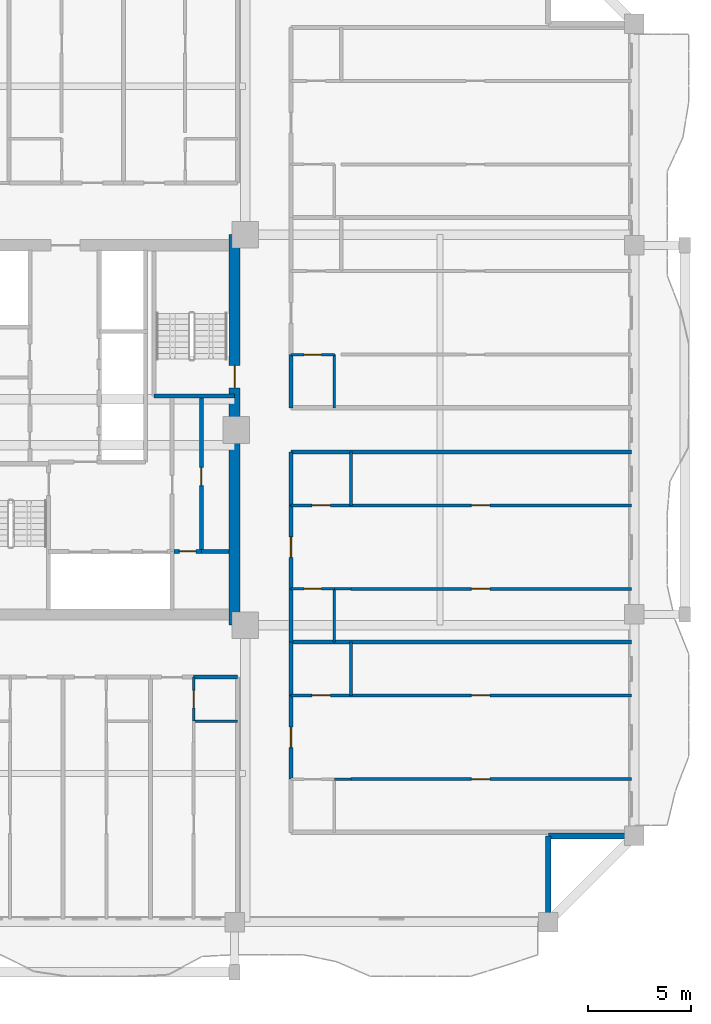
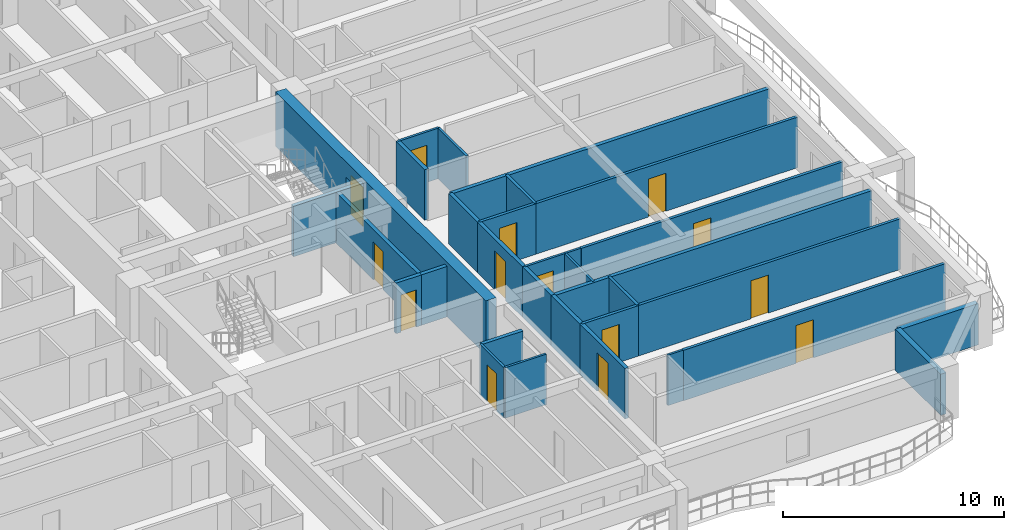
# One storey, part 5 of 13: 32 walls, 14 doors, 14 openings.
"""IFC4 building model written with IfcOpenShell, lengths in metres."""

import ifcopenshell
import ifcopenshell.guid

model = None  # the IFC model being written
_history = None  # IfcOwnerHistory: only IFC2X3 demands one
_inside = {}  # id of a spatial element -> (the spatial element, [elements in it])
_under = {}  # id of a project, library or spatial element -> (it, [spatial elements below it])
_declared = {}  # id of a project -> (the project, [libraries it declares])
_typed = {}  # id of a type object -> (the type object, [elements of that type])
_made_of = {}  # id of a material, layer set ... -> (it, [elements and type objects made of it])


def new_model(schema):
    """Start an empty IFC model of exactly this schema.

    Asked for "IFC4X3", IfcOpenShell would pick the latest addendum, in which some entities
    have other attributes; the version numbers below select the first issue.
    IFC2X3 requires an IfcOwnerHistory on every rooted entity: one is made here for all.
    """
    global model, _history
    if schema == "IFC4X3":
        model = ifcopenshell.file(schema_version=(4, 3, 0, 0))
    else:
        model = ifcopenshell.file(schema=schema)
    _inside.clear()
    _under.clear()
    _declared.clear()
    _typed.clear()
    _made_of.clear()
    _history = None
    if model.schema == "IFC2X3":
        org = make("IfcOrganization", Name="unknown")
        user = make(
            "IfcPersonAndOrganization",
            ThePerson=make("IfcPerson", FamilyName="unknown"),
            TheOrganization=org,
        )
        app = make(
            "IfcApplication",
            ApplicationDeveloper=org,
            Version="unknown",
            ApplicationFullName="unknown",
            ApplicationIdentifier="unknown",
        )
        _history = make(
            "IfcOwnerHistory",
            OwningUser=user,
            OwningApplication=app,
            ChangeAction="ADDED",
            CreationDate=0,
        )
    return model


def make(cls, **values):
    """One entity of the class cls with the attributes given. An attribute that is None is left unset."""
    return model.create_entity(
        cls, **{name: value for name, value in values.items() if value is not None}
    )


def rooted(cls, **values):
    """An entity with a GlobalId (a new one), such as an element, a storey or a relation."""
    return make(cls, GlobalId=ifcopenshell.guid.new(), OwnerHistory=_history, **values)


def si_unit(unit_type, name, prefix=None):
    """IfcSIUnit, for example si_unit("LENGTHUNIT", "METRE", prefix="MILLI")."""
    return make("IfcSIUnit", UnitType=unit_type, Prefix=prefix, Name=name)


def assignment(units):
    """IfcUnitAssignment: the units of a project."""
    return None if units is None else make("IfcUnitAssignment", Units=units)


def point(xyz):
    """IfcCartesianPoint."""
    return None if xyz is None else make("IfcCartesianPoint", Coordinates=xyz)


def direction(xyz):
    """IfcDirection."""
    return None if xyz is None else make("IfcDirection", DirectionRatios=xyz)


def frame(location, z_axis=None, x_axis=None):
    """IfcAxis2Placement3D, a coordinate frame: its origin and axes. An axis left out is left unset."""
    return make(
        "IfcAxis2Placement3D",
        Location=point(location),
        Axis=direction(z_axis),
        RefDirection=direction(x_axis),
    )


def frame_2d(location, x_axis=None):
    """IfcAxis2Placement2D, a coordinate frame in the plane: its origin and x axis."""
    return make(
        "IfcAxis2Placement2D", Location=point(location), RefDirection=direction(x_axis)
    )


def origin():
    """The frame at (0, 0, 0) with its axes left unset."""
    return frame((0.0, 0.0, 0.0))


def place(relative_to, where):
    """IfcLocalPlacement: puts the frame where relative to a parent placement (None: the world)."""
    return make(
        "IfcLocalPlacement", PlacementRelTo=relative_to, RelativePlacement=where
    )


def context(
    kind, dimensions, precision=None, world=None, true_north=None, identifier=None
):
    """IfcGeometricRepresentationContext, for example the 3D "Model" context."""
    return make(
        "IfcGeometricRepresentationContext",
        ContextIdentifier=identifier,
        ContextType=kind,
        CoordinateSpaceDimension=dimensions,
        Precision=precision,
        WorldCoordinateSystem=world,
        TrueNorth=true_north,
    )


def subcontext(parent, identifier, kind, view, scale=None):
    """IfcGeometricRepresentationSubContext, for example "Body" below "Model"."""
    return make(
        "IfcGeometricRepresentationSubContext",
        ContextIdentifier=identifier,
        ContextType=kind,
        ParentContext=parent,
        TargetScale=scale,
        TargetView=view,
    )


def project(units=None, contexts=None):
    """IfcProject with its units and contexts."""
    return rooted(
        "IfcProject",
        Name="project",
        RepresentationContexts=contexts,
        UnitsInContext=assignment(units),
    )


def spatial(cls, under=None, at=None, **own):
    """A site, building, storey or space (cls), placed at a placement, below another one or the project."""
    s = rooted(cls, ObjectPlacement=at, **own)
    if under is not None:
        _under.setdefault(under.id(), (under, []))[1].append(s)
    return s


def profile(cls, at=None, kind="AREA", **sizes):
    """A parametric profile (cls). Its sizes go by their IFC names, for example OverallWidth=200.0."""
    return make(cls, ProfileType=kind, Position=at, **sizes)


def rectangle(**sizes):
    """IfcRectangleProfileDef."""
    return profile("IfcRectangleProfileDef", **sizes)


def extrude(swept, where, along, depth):
    """IfcExtrudedAreaSolid: the profile swept, set in the frame where, extruded along a direction by depth."""
    return make(
        "IfcExtrudedAreaSolid",
        SweptArea=swept,
        Position=where,
        ExtrudedDirection=direction(along),
        Depth=depth,
    )


def shape(context_of_items, identifier, shape_type, items):
    """IfcShapeRepresentation: the items that make up one representation, for example the "Body"."""
    return make(
        "IfcShapeRepresentation",
        ContextOfItems=context_of_items,
        RepresentationIdentifier=identifier,
        RepresentationType=shape_type,
        Items=items,
    )


def source(mapping_origin, context_of_items, identifier, shape_type, items):
    """IfcRepresentationMap: a shape defined once, which mapped items show again and again."""
    return make(
        "IfcRepresentationMap",
        MappingOrigin=mapping_origin,
        MappedRepresentation=shape(context_of_items, identifier, shape_type, items),
    )


def transform(
    local_origin,
    x_axis=None,
    y_axis=None,
    z_axis=None,
    scale=None,
    scale2=None,
    scale3=None,
    uniform=True,
):
    """IfcCartesianTransformationOperator3D, or its non-uniform kind. x_axis, y_axis, z_axis: its Axis1, 2, 3."""
    if uniform:
        return make(
            "IfcCartesianTransformationOperator3D",
            Axis1=direction(x_axis),
            Axis2=direction(y_axis),
            LocalOrigin=point(local_origin),
            Scale=scale,
            Axis3=direction(z_axis),
        )
    return make(
        "IfcCartesianTransformationOperator3DnonUniform",
        Axis1=direction(x_axis),
        Axis2=direction(y_axis),
        LocalOrigin=point(local_origin),
        Scale=scale,
        Axis3=direction(z_axis),
        Scale2=scale2,
        Scale3=scale3,
    )


def mapped(mapping_source, mapping_target):
    """IfcMappedItem: shows the shape of a source again, moved by a transform."""
    return make(
        "IfcMappedItem", MappingSource=mapping_source, MappingTarget=mapping_target
    )


def material(Name=None, Category=None):
    """IfcMaterial."""
    return make("IfcMaterial", Name=Name, Category=Category)


def layer(
    of_material, thickness, ventilated=None, Name=None, Category=None, Priority=None
):
    """IfcMaterialLayer: one layer of a wall or slab, of a material (None: an air gap)."""
    return make(
        "IfcMaterialLayer",
        Material=of_material,
        LayerThickness=thickness,
        IsVentilated=ventilated,
        Name=Name,
        Category=Category,
        Priority=Priority,
    )


def layer_set(layers, Name=None):
    """IfcMaterialLayerSet."""
    return make("IfcMaterialLayerSet", MaterialLayers=layers, LayerSetName=Name)


def made_of(thing, what):
    """Note that an element or type object is made of a material, layer set ...; save() writes the relation."""
    if what is not None:
        _made_of.setdefault(what.id(), (what, []))[1].append(thing)
    return thing


def type_object(cls, material=None, **own):
    """A type object (cls), such as IfcWallType, which elements share."""
    return made_of(rooted(cls, **own), material)


def element(
    cls,
    number,
    at=None,
    inside=None,
    cuts=None,
    type_object=None,
    material=None,
    context=None,
    identifier="Body",
    shape_type=None,
    held_by="IfcProductDefinitionShape",
    body=None,
    shapes=None,
    **own,
):
    """One element of the class cls, such as IfcWall. Its Tag is "e" and its number.

    at: its placement. inside: the storey or other place that contains it. cuts: it is an
    opening in that element (IfcRelVoidsElement). A single representation is given by context,
    identifier, shape_type and body (its items); several are given by shapes. held_by: the class
    of the entity that holds the representations. save() writes the other relations.
    """
    e = rooted(cls, Tag="e%d" % number, ObjectPlacement=at, **own)
    if body is not None:
        shapes = [shape(context, identifier, shape_type, body)]
    if shapes is not None:
        e.Representation = make(held_by, Representations=shapes)
    if inside is not None:
        _inside.setdefault(inside.id(), (inside, []))[1].append(e)
    if cuts is not None:
        rooted(
            "IfcRelVoidsElement", RelatingBuildingElement=cuts, RelatedOpeningElement=e
        )
    if type_object is not None:
        _typed.setdefault(type_object.id(), (type_object, []))[1].append(e)
    return made_of(e, material)


def fill(opening, filler):
    """IfcRelFillsElement: the door or window that sits in an opening."""
    return rooted(
        "IfcRelFillsElement",
        RelatingOpeningElement=opening,
        RelatedBuildingElement=filler,
    )


def aggregate(whole, parts):
    """IfcRelAggregates: a whole, such as a stair, and the parts it consists of."""
    return rooted("IfcRelAggregates", RelatingObject=whole, RelatedObjects=parts)


def save(model, path):
    """Write the relations noted so far, then the file.

    IfcRelAggregates (storeys below a building ...), IfcRelContainedInSpatialStructure (elements
    in a storey), IfcRelDefinesByType, IfcRelAssociatesMaterial and IfcRelDeclares: one each for
    every whole, place, type object, material and project.
    """
    for whole, parts in _under.values():
        aggregate(whole, parts)
    for where, things in _inside.values():
        rooted(
            "IfcRelContainedInSpatialStructure",
            RelatedElements=things,
            RelatingStructure=where,
        )
    for kind, things in _typed.values():
        rooted("IfcRelDefinesByType", RelatedObjects=things, RelatingType=kind)
    for what, things in _made_of.values():
        rooted("IfcRelAssociatesMaterial", RelatedObjects=things, RelatingMaterial=what)
    for by, libraries in _declared.values():
        rooted("IfcRelDeclares", RelatingContext=by, RelatedDefinitions=libraries)
    model.write(path)


model = new_model("IFC4")

# Units and contexts
model_context = context("Model", 3, precision=1e-05, world=origin(), true_north=direction((0.0, 1.0)))
body_context = subcontext(model_context, "Body", "Model", "MODEL_VIEW")
ifc_project = project(units=[si_unit("LENGTHUNIT", "METRE"), si_unit("AREAUNIT", "SQUARE_METRE"), si_unit("VOLUMEUNIT", "CUBIC_METRE"), si_unit("PLANEANGLEUNIT", "RADIAN"), si_unit("MASSUNIT", "GRAM", prefix="KILO")], contexts=[model_context])

# Site, building, storey
site_placement = place(None, origin())
site = spatial("IfcSite", under=ifc_project, at=site_placement, CompositionType="ELEMENT")
building_placement = place(site_placement, origin())
building = spatial("IfcBuilding", under=site, at=building_placement, Name="Saelheon Loggia Tower", CompositionType="ELEMENT")
storey_placement = place(building_placement, frame((0.0, 0.0, 110.85009765625)))
storey = spatial("IfcBuildingStorey", under=building, at=storey_placement, Name="L35", CompositionType="ELEMENT", Elevation=110.85009765625)

# Wall, opening, door
ifc_material_1 = material(Name="Concrete C50/60", Category="concrete")
ifc_layer_1 = layer(ifc_material_1, 0.550048828125)
ifc_layer_set_1 = layer_set([ifc_layer_1], Name="Concrete C50/60")
wall_type_1 = type_object("IfcWallType", Name="Wall_CoreShear_550", PredefinedType="SHEAR", material=ifc_layer_set_1)
wall_1_placement = place(storey_placement, frame((44.5, 17.47998046875, 0.0), z_axis=(0.0, 0.0, 1.0), x_axis=(0.0, 1.0, 0.0)))
wall_1 = element("IfcWall", 1, at=wall_1_placement, inside=storey, type_object=wall_type_1, Name="L35 Core Shear Wall East", PredefinedType="SHEAR", context=body_context, shape_type="SweptSolid", body=[
    extrude(rectangle(XDim=19.0400390625, YDim=0.550048828125, at=frame_2d((9.52001953125, 0.0))), origin(), (0.0, 0.0, 1.0), 3.0),
])
opening_1_placement = place(wall_1_placement, frame((12.670166015625, 0.0, 0.0), z_axis=(0.0, 0.0, 1.0), x_axis=(-1.0, 0.0, 0.0)))
opening_1 = element("IfcOpeningElement", 2, at=opening_1_placement, cuts=wall_1, Name="Opening D-FD2", PredefinedType="OPENING", context=body_context, shape_type="SweptSolid", body=[
    extrude(rectangle(XDim=1.10009765625, YDim=2.14990234375, at=frame_2d((0.550048828125, 1.074951171875))), frame((0.0, 0.287109375, 0.0), z_axis=(0.0, -1.0, 0.0), x_axis=(1.0, 0.0, 0.0)), (0.0, 0.0, 1.0), 0.573974609375),
])
ifc_material_2 = material(Name="Galvanised Steel Fire Door", Category="steel")
door_type_1 = type_object("IfcDoorType", Name="Door_Fire_FD60_1100", OperationType="NOTDEFINED", PredefinedType="DOOR", material=ifc_material_2)
shared_shape_1 = source(origin(), body_context, "Body", "SweptSolid", [
    extrude(rectangle(XDim=1.10009765625, YDim=2.14990234375, at=frame_2d((0.550048828125, 1.074951171875))), frame((0.0, 0.02490234375, 0.0), z_axis=(0.0, -1.0, 0.0), x_axis=(1.0, 0.0, 0.0)), (0.0, 0.0, 1.0), 0.050048828125),
])
door_1_placement = place(opening_1_placement, origin())
door_1 = element("IfcDoor", 3, at=door_1_placement, inside=storey, type_object=door_type_1, Name="L35 Stair ST2 Corridor Door", OperationType="SINGLE_SWING_RIGHT", OverallHeight=2.14990234375, OverallWidth=1.10009765625, PredefinedType="DOOR", context=body_context, shape_type="MappedRepresentation", body=[
    mapped(shared_shape_1, transform((0.0, 0.0, 0.0), scale=1.0)),
])
fill(opening_1, door_1)

# Walls
ifc_material_3 = material(Name="Architectural Precast Concrete C40/50", Category="concrete")
ifc_layer_2 = layer(ifc_material_3, 0.280029296875)
ifc_layer_set_2 = layer_set([ifc_layer_2], Name="Architectural Precast Concrete C40/50")
wall_type_2 = type_object("IfcWallType", Name="Wall_Ext_Loggia_280", PredefinedType="SOLIDWALL", material=ifc_layer_set_2)
for number, where, z_axis, x_axis, name in (
    (4, (59.800048828125, 3.080078125, 0.0), (0.0, 0.0, 1.0), (0.0, 1.0, 0.0), "L35 Corner Notch Precast Wall SE1"),
    (5, (59.800048828125, 7.199951171875, 0.0), (0.0, 0.0, 1.0), (1.0, 0.0, 0.0), "L35 Corner Notch Precast Wall SE2"),
):
    element("IfcWall", number, at=place(storey_placement, frame(where, z_axis=z_axis, x_axis=x_axis)), inside=storey, type_object=wall_type_2, Name=name, PredefinedType="SOLIDWALL", context=body_context, shape_type="SweptSolid", body=[
        extrude(rectangle(XDim=4.119873046875, YDim=0.280029296875, at=frame_2d((2.06005859375, 0.0))), origin(), (0.0, 0.0, 1.0), 2.27978515625),
    ])
ifc_material_4 = material(Name="Lightweight Autoclaved Aerated Concrete Block and Acoustic Gypsum", Category="concrete")
ifc_layer_3 = layer(ifc_material_4, 0.14990234375)
ifc_layer_set_3 = layer_set([ifc_layer_3], Name="Lightweight Autoclaved Aerated Concrete Block and Acoustic Gypsum")
wall_type_3 = type_object("IfcWallType", Name="Wall_Part_150", PredefinedType="PARTITIONING", material=ifc_layer_set_3)
wall_2_placement = place(storey_placement, frame((50.179931640625, 14.050048828125, 0.0), z_axis=(0.0, 0.0, 1.0), x_axis=(0.0, 1.0, 0.0)))
element("IfcWall", 6, at=wall_2_placement, inside=storey, type_object=wall_type_3, Name="L35 ES Partition V07", PredefinedType="PARTITIONING", context=body_context, shape_type="SweptSolid", body=[
    extrude(rectangle(XDim=2.599853515625, YDim=0.14990234375, at=frame_2d((1.2998046875, 0.0))), origin(), (0.0, 0.0, 1.0), 2.789794921875),
])

# Wall, opening, door
wall_3_placement = place(storey_placement, frame((50.179931640625, 9.9755859375, 0.0), z_axis=(0.0, 0.0, 1.0), x_axis=(1.0, 0.0, 0.0)))
wall_3 = element("IfcWall", 7, at=wall_3_placement, inside=storey, type_object=wall_type_3, Name="L35 ES Partition U10", PredefinedType="PARTITIONING", context=body_context, shape_type="SweptSolid", body=[
    extrude(rectangle(XDim=13.670166015625, YDim=0.14990234375, at=frame_2d((6.8349609375, 0.0))), origin(), (0.0, 0.0, 1.0), 2.789794921875),
])
opening_2_placement = place(wall_3_placement, frame((5.872802734375, 0.0, 0.0)))
opening_2 = element("IfcOpeningElement", 8, at=opening_2_placement, cuts=wall_3, Name="Opening D-IN2", PredefinedType="OPENING", context=body_context, shape_type="SweptSolid", body=[
    extrude(rectangle(XDim=0.89990234375, YDim=2.10009765625, at=frame_2d((0.449951171875, 1.050048828125))), frame((0.0, 0.0869140625, 0.0), z_axis=(0.0, -1.0, 0.0), x_axis=(1.0, 0.0, 0.0)), (0.0, 0.0, 1.0), 0.173828125),
])
ifc_material_5 = material(Name="Engineered Oak Flush Door", Category="timber")
door_type_2 = type_object("IfcDoorType", Name="Door_Int_900", OperationType="NOTDEFINED", PredefinedType="DOOR", material=ifc_material_5)
shared_shape_2 = source(origin(), body_context, "Body", "SweptSolid", [
    extrude(rectangle(XDim=0.89990234375, YDim=2.10009765625, at=frame_2d((0.449951171875, 1.050048828125))), frame((0.0, 0.02490234375, 0.0), z_axis=(0.0, -1.0, 0.0), x_axis=(1.0, 0.0, 0.0)), (0.0, 0.0, 1.0), 0.050048828125),
])
door_2_placement = place(opening_2_placement, origin())
door_2 = element("IfcDoor", 9, at=door_2_placement, inside=storey, type_object=door_type_2, Name="Unit U10 Kitchen Door", OperationType="SINGLE_SWING_RIGHT", OverallHeight=2.10009765625, OverallWidth=0.89990234375, PredefinedType="DOOR", context=body_context, shape_type="MappedRepresentation", body=[
    mapped(shared_shape_2, transform((0.0, 0.0, 0.0), scale=1.0)),
])
fill(opening_2, door_2)

wall_4_placement = place(storey_placement, frame((47.25, 14.050048828125, 0.0), z_axis=(0.0, 0.0, 1.0), x_axis=(1.0, 0.0, 0.0)))
wall_4 = element("IfcWall", 10, at=wall_4_placement, inside=storey, type_object=wall_type_3, Name="L35 ES Partition U11", PredefinedType="PARTITIONING", context=body_context, shape_type="SweptSolid", body=[
    extrude(rectangle(XDim=2.929931640625, YDim=0.14990234375, at=frame_2d((1.46484375, 0.0))), origin(), (0.0, 0.0, 1.0), 2.789794921875),
])
opening_3_placement = place(wall_4_placement, frame((1.014892578125, 0.0, 0.0)))
opening_3 = element("IfcOpeningElement", 11, at=opening_3_placement, cuts=wall_4, Name="Opening D-IN2", PredefinedType="OPENING", context=body_context, shape_type="SweptSolid", body=[
    extrude(rectangle(XDim=0.89990234375, YDim=2.10009765625, at=frame_2d((0.449951171875, 1.050048828125))), frame((0.0, 0.0869140625, 0.0), z_axis=(0.0, -1.0, 0.0), x_axis=(1.0, 0.0, 0.0)), (0.0, 0.0, 1.0), 0.173828125),
])
door_3_placement = place(opening_3_placement, origin())
door_3 = element("IfcDoor", 12, at=door_3_placement, inside=storey, type_object=door_type_2, Name="Unit U10 Dressing Closet Door", OperationType="SINGLE_SWING_LEFT", OverallHeight=2.10009765625, OverallWidth=0.89990234375, PredefinedType="DOOR", context=body_context, shape_type="MappedRepresentation", body=[
    mapped(shared_shape_2, transform((0.0, 0.0, 0.0), scale=1.0)),
])
fill(opening_3, door_3)

wall_5_placement = place(storey_placement, frame((50.179931640625, 14.050048828125, 0.0), z_axis=(0.0, 0.0, 1.0), x_axis=(1.0, 0.0, 0.0)))
wall_5 = element("IfcWall", 13, at=wall_5_placement, inside=storey, type_object=wall_type_3, Name="L35 ES Partition U12", PredefinedType="PARTITIONING", context=body_context, shape_type="SweptSolid", body=[
    extrude(rectangle(XDim=13.670166015625, YDim=0.14990234375, at=frame_2d((6.8349609375, 0.0))), origin(), (0.0, 0.0, 1.0), 2.789794921875),
])
opening_4_placement = place(wall_5_placement, frame((5.872802734375, 0.0, 0.0)))
opening_4 = element("IfcOpeningElement", 14, at=opening_4_placement, cuts=wall_5, Name="Opening D-IN2", PredefinedType="OPENING", context=body_context, shape_type="SweptSolid", body=[
    extrude(rectangle(XDim=0.89990234375, YDim=2.10009765625, at=frame_2d((0.449951171875, 1.050048828125))), frame((0.0, 0.0869140625, 0.0), z_axis=(0.0, -1.0, 0.0), x_axis=(1.0, 0.0, 0.0)), (0.0, 0.0, 1.0), 0.173828125),
])
door_4_placement = place(opening_4_placement, origin())
door_4 = element("IfcDoor", 15, at=door_4_placement, inside=storey, type_object=door_type_2, Name="Unit U10 Bedroom 1 Door", OperationType="SINGLE_SWING_RIGHT", OverallHeight=2.10009765625, OverallWidth=0.89990234375, PredefinedType="DOOR", context=body_context, shape_type="MappedRepresentation", body=[
    mapped(shared_shape_2, transform((0.0, 0.0, 0.0), scale=1.0)),
])
fill(opening_4, door_4)

# Wall
wall_6_placement = place(storey_placement, frame((50.179931640625, 23.320068359375, 0.0), z_axis=(0.0, 0.0, 1.0), x_axis=(0.0, 1.0, 0.0)))
element("IfcWall", 16, at=wall_6_placement, inside=storey, type_object=wall_type_3, Name="L35 ES Partition V18", PredefinedType="PARTITIONING", context=body_context, shape_type="SweptSolid", body=[
    extrude(rectangle(XDim=2.599853515625, YDim=0.14990234375, at=frame_2d((1.2998046875, 0.0))), origin(), (0.0, 0.0, 1.0), 2.789794921875),
])

# Wall, opening, door
wall_7_placement = place(storey_placement, frame((50.179931640625, 19.24560546875, 0.0), z_axis=(0.0, 0.0, 1.0), x_axis=(1.0, 0.0, 0.0)))
wall_7 = element("IfcWall", 17, at=wall_7_placement, inside=storey, type_object=wall_type_3, Name="L35 ES Partition U21", PredefinedType="PARTITIONING", context=body_context, shape_type="SweptSolid", body=[
    extrude(rectangle(XDim=13.670166015625, YDim=0.14990234375, at=frame_2d((6.8349609375, 0.0))), origin(), (0.0, 0.0, 1.0), 2.789794921875),
])
opening_5_placement = place(wall_7_placement, frame((5.872802734375, 0.0, 0.0)))
opening_5 = element("IfcOpeningElement", 18, at=opening_5_placement, cuts=wall_7, Name="Opening D-IN2", PredefinedType="OPENING", context=body_context, shape_type="SweptSolid", body=[
    extrude(rectangle(XDim=0.89990234375, YDim=2.10009765625, at=frame_2d((0.449951171875, 1.050048828125))), frame((0.0, 0.0869140625, 0.0), z_axis=(0.0, -1.0, 0.0), x_axis=(1.0, 0.0, 0.0)), (0.0, 0.0, 1.0), 0.173828125),
])
door_5_placement = place(opening_5_placement, origin())
door_5 = element("IfcDoor", 19, at=door_5_placement, inside=storey, type_object=door_type_2, Name="Unit U11 Kitchen Door", OperationType="SINGLE_SWING_LEFT", OverallHeight=2.10009765625, OverallWidth=0.89990234375, PredefinedType="DOOR", context=body_context, shape_type="MappedRepresentation", body=[
    mapped(shared_shape_2, transform((0.0, 0.0, 0.0), scale=1.0)),
])
fill(opening_5, door_5)

wall_8_placement = place(storey_placement, frame((47.25, 23.320068359375, 0.0), z_axis=(0.0, 0.0, 1.0), x_axis=(1.0, 0.0, 0.0)))
wall_8 = element("IfcWall", 20, at=wall_8_placement, inside=storey, type_object=wall_type_3, Name="L35 ES Partition U22", PredefinedType="PARTITIONING", context=body_context, shape_type="SweptSolid", body=[
    extrude(rectangle(XDim=2.929931640625, YDim=0.14990234375, at=frame_2d((1.46484375, 0.0))), origin(), (0.0, 0.0, 1.0), 2.789794921875),
])
opening_6_placement = place(wall_8_placement, frame((1.014892578125, 0.0, 0.0)))
opening_6 = element("IfcOpeningElement", 21, at=opening_6_placement, cuts=wall_8, Name="Opening D-IN2", PredefinedType="OPENING", context=body_context, shape_type="SweptSolid", body=[
    extrude(rectangle(XDim=0.89990234375, YDim=2.10009765625, at=frame_2d((0.449951171875, 1.050048828125))), frame((0.0, 0.0869140625, 0.0), z_axis=(0.0, -1.0, 0.0), x_axis=(1.0, 0.0, 0.0)), (0.0, 0.0, 1.0), 0.173828125),
])
door_6_placement = place(opening_6_placement, origin())
door_6 = element("IfcDoor", 22, at=door_6_placement, inside=storey, type_object=door_type_2, Name="Unit U11 Dressing Closet Door", OperationType="SINGLE_SWING_RIGHT", OverallHeight=2.10009765625, OverallWidth=0.89990234375, PredefinedType="DOOR", context=body_context, shape_type="MappedRepresentation", body=[
    mapped(shared_shape_2, transform((0.0, 0.0, 0.0), scale=1.0)),
])
fill(opening_6, door_6)

wall_9_placement = place(storey_placement, frame((50.179931640625, 23.320068359375, 0.0), z_axis=(0.0, 0.0, 1.0), x_axis=(1.0, 0.0, 0.0)))
wall_9 = element("IfcWall", 23, at=wall_9_placement, inside=storey, type_object=wall_type_3, Name="L35 ES Partition U23", PredefinedType="PARTITIONING", context=body_context, shape_type="SweptSolid", body=[
    extrude(rectangle(XDim=13.670166015625, YDim=0.14990234375, at=frame_2d((6.8349609375, 0.0))), origin(), (0.0, 0.0, 1.0), 2.789794921875),
])
opening_7_placement = place(wall_9_placement, frame((5.872802734375, 0.0, 0.0)))
opening_7 = element("IfcOpeningElement", 24, at=opening_7_placement, cuts=wall_9, Name="Opening D-IN2", PredefinedType="OPENING", context=body_context, shape_type="SweptSolid", body=[
    extrude(rectangle(XDim=0.89990234375, YDim=2.10009765625, at=frame_2d((0.449951171875, 1.050048828125))), frame((0.0, 0.0869140625, 0.0), z_axis=(0.0, -1.0, 0.0), x_axis=(1.0, 0.0, 0.0)), (0.0, 0.0, 1.0), 0.173828125),
])
door_7_placement = place(opening_7_placement, origin())
door_7 = element("IfcDoor", 25, at=door_7_placement, inside=storey, type_object=door_type_2, Name="Unit U11 Bedroom 1 Door", OperationType="SINGLE_SWING_LEFT", OverallHeight=2.10009765625, OverallWidth=0.89990234375, PredefinedType="DOOR", context=body_context, shape_type="MappedRepresentation", body=[
    mapped(shared_shape_2, transform((0.0, 0.0, 0.0), scale=1.0)),
])
fill(opening_7, door_7)

# Walls
ifc_material_6 = material(Name="Double Acoustic Stud and Fireboard Partition", Category="gypsum")
ifc_layer_4 = layer(ifc_material_6, 0.199951171875)
ifc_layer_set_4 = layer_set([ifc_layer_4], Name="Double Acoustic Stud and Fireboard Partition")
wall_type_4 = type_object("IfcWallType", Name="Wall_Party_200", PredefinedType="PARTITIONING", material=ifc_layer_set_4)
wall_10_placement = place(storey_placement, frame((42.5, 14.949951171875, 0.0), z_axis=(0.0, 0.0, 1.0), x_axis=(1.0, 0.0, 0.0)))
element("IfcWall", 26, at=wall_10_placement, inside=storey, type_object=wall_type_4, Name="L35 S Partition V18", PredefinedType="PARTITIONING", context=body_context, shape_type="SweptSolid", body=[
    extrude(rectangle(XDim=2.14990234375, YDim=0.199951171875, at=frame_2d((1.074951171875, 0.0))), origin(), (0.0, 0.0, 1.0), 2.789794921875),
])
wall_11_placement = place(storey_placement, frame((47.25, 25.919921875, 0.0), z_axis=(0.0, 0.0, 1.0), x_axis=(1.0, 0.0, 0.0)))
element("IfcWall", 27, at=wall_11_placement, inside=storey, type_object=wall_type_4, Name="L35 ES Partition U02", PredefinedType="PARTITIONING", context=body_context, shape_type="SweptSolid", body=[
    extrude(rectangle(XDim=16.60009765625, YDim=0.199951171875, at=frame_2d((8.300048828125, 0.0))), origin(), (0.0, 0.0, 1.0), 2.789794921875),
])

# Wall, opening, door
wall_12_placement = place(storey_placement, frame((47.25, 9.9755859375, 0.0), z_axis=(0.0, 0.0, 1.0), x_axis=(0.0, 1.0, 0.0)))
wall_12 = element("IfcWall", 28, at=wall_12_placement, inside=storey, type_object=wall_type_4, Name="L35 ES Partition V04", PredefinedType="PARTITIONING", context=body_context, shape_type="SweptSolid", body=[
    extrude(rectangle(XDim=4.074462890625, YDim=0.199951171875, at=frame_2d((2.037109375, 0.0))), origin(), (0.0, 0.0, 1.0), 2.789794921875),
])
opening_8_placement = place(wall_12_placement, frame((1.537109375, 0.0, 0.0)))
opening_8 = element("IfcOpeningElement", 29, at=opening_8_placement, cuts=wall_12, Name="Opening D-FD1", PredefinedType="OPENING", context=body_context, shape_type="SweptSolid", body=[
    extrude(rectangle(XDim=1.0, YDim=2.14990234375, at=frame_2d((0.5, 1.074951171875))), frame((0.0, 0.112060546875, 0.0), z_axis=(0.0, -1.0, 0.0), x_axis=(1.0, 0.0, 0.0)), (0.0, 0.0, 1.0), 0.223876953125),
])
ifc_material_7 = material(Name="Fire-Rated Engineered Timber Entrance Door", Category="wood")
door_type_3 = type_object("IfcDoorType", Name="Door_Flat_FD30S", OperationType="NOTDEFINED", PredefinedType="DOOR", material=ifc_material_7)
shared_shape_3 = source(origin(), body_context, "Body", "SweptSolid", [
    extrude(rectangle(XDim=1.0, YDim=2.14990234375, at=frame_2d((0.5, 1.074951171875))), frame((0.0, 0.02490234375, 0.0), z_axis=(0.0, -1.0, 0.0), x_axis=(1.0, 0.0, 0.0)), (0.0, 0.0, 1.0), 0.050048828125),
])
door_8_placement = place(opening_8_placement, origin())
door_8 = element("IfcDoor", 30, at=door_8_placement, inside=storey, type_object=door_type_3, Name="Unit U10 Entrance Door", OperationType="SINGLE_SWING_RIGHT", OverallHeight=2.14990234375, OverallWidth=1.0, PredefinedType="DOOR", context=body_context, shape_type="MappedRepresentation", body=[
    mapped(shared_shape_3, transform((0.0, 0.0, 0.0), scale=1.0)),
])
fill(opening_8, door_8)

# Walls
wall_13_placement = place(storey_placement, frame((47.25, 14.050048828125, 0.0), z_axis=(0.0, 0.0, 1.0), x_axis=(0.0, 1.0, 0.0)))
element("IfcWall", 31, at=wall_13_placement, inside=storey, type_object=wall_type_4, Name="L35 ES Partition V05", PredefinedType="PARTITIONING", context=body_context, shape_type="SweptSolid", body=[
    extrude(rectangle(XDim=2.599853515625, YDim=0.199951171875, at=frame_2d((1.2998046875, 0.0))), origin(), (0.0, 0.0, 1.0), 2.789794921875),
])
wall_14_placement = place(storey_placement, frame((47.25, 16.64990234375, 0.0), z_axis=(0.0, 0.0, 1.0), x_axis=(1.0, 0.0, 0.0)))
element("IfcWall", 32, at=wall_14_placement, inside=storey, type_object=wall_type_4, Name="L35 ES Partition U13", PredefinedType="PARTITIONING", context=body_context, shape_type="SweptSolid", body=[
    extrude(rectangle(XDim=16.60009765625, YDim=0.199951171875, at=frame_2d((8.300048828125, 0.0))), origin(), (0.0, 0.0, 1.0), 2.789794921875),
])
wall_15_placement = place(storey_placement, frame((47.25, 16.64990234375, 0.0), z_axis=(0.0, 0.0, 1.0), x_axis=(0.0, 1.0, 0.0)))
element("IfcWall", 33, at=wall_15_placement, inside=storey, type_object=wall_type_4, Name="L35 ES Partition V14", PredefinedType="PARTITIONING", context=body_context, shape_type="SweptSolid", body=[
    extrude(rectangle(XDim=2.595703125, YDim=0.199951171875, at=frame_2d((1.2978515625, 0.0))), origin(), (0.0, 0.0, 1.0), 2.789794921875),
])

# Wall, opening, door
wall_16_placement = place(storey_placement, frame((47.25, 19.24560546875, 0.0), z_axis=(0.0, 0.0, 1.0), x_axis=(0.0, 1.0, 0.0)))
wall_16 = element("IfcWall", 34, at=wall_16_placement, inside=storey, type_object=wall_type_4, Name="L35 ES Partition V15", PredefinedType="PARTITIONING", context=body_context, shape_type="SweptSolid", body=[
    extrude(rectangle(XDim=4.074462890625, YDim=0.199951171875, at=frame_2d((2.037109375, 0.0))), origin(), (0.0, 0.0, 1.0), 2.789794921875),
])
opening_9_placement = place(wall_16_placement, frame((1.537109375, 0.0, 0.0)))
opening_9 = element("IfcOpeningElement", 35, at=opening_9_placement, cuts=wall_16, Name="Opening D-FD1", PredefinedType="OPENING", context=body_context, shape_type="SweptSolid", body=[
    extrude(rectangle(XDim=1.0, YDim=2.14990234375, at=frame_2d((0.5, 1.074951171875))), frame((0.0, 0.112060546875, 0.0), z_axis=(0.0, -1.0, 0.0), x_axis=(1.0, 0.0, 0.0)), (0.0, 0.0, 1.0), 0.223876953125),
])
door_9_placement = place(opening_9_placement, origin())
door_9 = element("IfcDoor", 36, at=door_9_placement, inside=storey, type_object=door_type_3, Name="Unit U11 Entrance Door", OperationType="SINGLE_SWING_LEFT", OverallHeight=2.14990234375, OverallWidth=1.0, PredefinedType="DOOR", context=body_context, shape_type="MappedRepresentation", body=[
    mapped(shared_shape_3, transform((0.0, 0.0, 0.0), scale=1.0)),
])
fill(opening_9, door_9)

# Walls
wall_17_placement = place(storey_placement, frame((47.25, 23.320068359375, 0.0), z_axis=(0.0, 0.0, 1.0), x_axis=(0.0, 1.0, 0.0)))
element("IfcWall", 37, at=wall_17_placement, inside=storey, type_object=wall_type_4, Name="L35 ES Partition V16", PredefinedType="PARTITIONING", context=body_context, shape_type="SweptSolid", body=[
    extrude(rectangle(XDim=2.599853515625, YDim=0.199951171875, at=frame_2d((1.2998046875, 0.0))), origin(), (0.0, 0.0, 1.0), 2.789794921875),
])
wall_18_placement = place(storey_placement, frame((47.25, 28.080078125, 0.0), z_axis=(0.0, 0.0, 1.0), x_axis=(0.0, 1.0, 0.0)))
element("IfcWall", 38, at=wall_18_placement, inside=storey, type_object=wall_type_4, Name="L35 EN Partition V03", PredefinedType="PARTITIONING", context=body_context, shape_type="SweptSolid", body=[
    extrude(rectangle(XDim=2.595458984375, YDim=0.199951171875, at=frame_2d((1.2978515625, 0.0))), origin(), (0.0, 0.0, 1.0), 2.789794921875),
])

# Wall, opening, door
ifc_material_8 = material(Name="Concrete C40/50", Category="concrete")
ifc_layer_5 = layer(ifc_material_8, 0.199951171875)
ifc_layer_set_5 = layer_set([ifc_layer_5], Name="Concrete C40/50")
wall_type_5 = type_object("IfcWallType", Name="Wall_Shaft_200", PredefinedType="PARTITIONING", material=ifc_layer_set_5)
wall_19_placement = place(storey_placement, frame((41.550048828125, 21.080078125, 0.0), z_axis=(0.0, 0.0, 1.0), x_axis=(1.0, 0.0, 0.0)))
wall_19 = element("IfcWall", 39, at=wall_19_placement, inside=storey, type_object=wall_type_5, Name="CW-BOH-L35-HS", PredefinedType="PARTITIONING", context=body_context, shape_type="SweptSolid", body=[
    extrude(rectangle(XDim=1.329833984375, YDim=0.199951171875, at=frame_2d((0.6650390625, 0.0))), origin(), (0.0, 0.0, 1.0), 2.789794921875),
])
opening_10_placement = place(wall_19_placement, frame((0.260009765625, 0.0, 0.0)))
opening_10 = element("IfcOpeningElement", 40, at=opening_10_placement, cuts=wall_19, Name="Opening D-ST1", PredefinedType="OPENING", context=body_context, shape_type="SweptSolid", body=[
    extrude(rectangle(XDim=0.800048828125, YDim=2.050048828125, at=frame_2d((0.39990234375, 1.02490234375))), frame((0.0, 0.112060546875, 0.0), z_axis=(0.0, -1.0, 0.0), x_axis=(1.0, 0.0, 0.0)), (0.0, 0.0, 1.0), 0.223876953125),
])
ifc_material_9 = material(Name="Powder-Coated Steel Store Door", Category="steel")
door_type_4 = type_object("IfcDoorType", Name="Door_Store_800", OperationType="NOTDEFINED", PredefinedType="DOOR", material=ifc_material_9)
shared_shape_4 = source(origin(), body_context, "Body", "SweptSolid", [
    extrude(rectangle(XDim=0.800048828125, YDim=2.050048828125, at=frame_2d((0.39990234375, 1.02490234375))), frame((0.0, 0.02490234375, 0.0), z_axis=(0.0, -1.0, 0.0), x_axis=(1.0, 0.0, 0.0)), (0.0, 0.0, 1.0), 0.050048828125),
])
door_10_placement = place(opening_10_placement, origin())
door_10 = element("IfcDoor", 41, at=door_10_placement, inside=storey, type_object=door_type_4, Name="L35 Electrical Riser Door", OperationType="SINGLE_SWING_RIGHT", OverallHeight=2.050048828125, OverallWidth=0.800048828125, PredefinedType="DOOR", context=body_context, shape_type="MappedRepresentation", body=[
    mapped(shared_shape_4, transform((0.0, 0.0, 0.0), scale=1.0)),
])
fill(opening_10, door_10)

# Wall
wall_20_placement = place(storey_placement, frame((42.8798828125, 21.080078125, 0.0), z_axis=(0.0, 0.0, 1.0), x_axis=(1.0, 0.0, 0.0)))
element("IfcWall", 42, at=wall_20_placement, inside=storey, type_object=wall_type_5, Name="CW-BOH-L35-HS2", PredefinedType="PARTITIONING", context=body_context, shape_type="SweptSolid", body=[
    extrude(rectangle(XDim=1.340087890625, YDim=0.199951171875, at=frame_2d((0.669921875, 0.0))), origin(), (0.0, 0.0, 1.0), 2.789794921875),
])

# Wall, opening, door
wall_21_placement = place(storey_placement, frame((42.8798828125, 21.080078125, 0.0), z_axis=(0.0, 0.0, 1.0), x_axis=(0.0, 1.0, 0.0)))
wall_21 = element("IfcWall", 43, at=wall_21_placement, inside=storey, type_object=wall_type_5, Name="CW-BOH-L35-VS", PredefinedType="PARTITIONING", context=body_context, shape_type="SweptSolid", body=[
    extrude(rectangle(XDim=7.469970703125, YDim=0.199951171875, at=frame_2d((3.73486328125, 0.0))), origin(), (0.0, 0.0, 1.0), 2.789794921875),
])
opening_11_placement = place(wall_21_placement, frame((3.199951171875, 0.0, 0.0)))
opening_11 = element("IfcOpeningElement", 44, at=opening_11_placement, cuts=wall_21, Name="Opening D-RS1", PredefinedType="OPENING", context=body_context, shape_type="SweptSolid", body=[
    extrude(rectangle(XDim=0.89990234375, YDim=2.10009765625, at=frame_2d((0.449951171875, 1.050048828125))), frame((0.0, 0.112060546875, 0.0), z_axis=(0.0, -1.0, 0.0), x_axis=(1.0, 0.0, 0.0)), (0.0, 0.0, 1.0), 0.223876953125),
])
ifc_material_10 = material(Name="Galvanised Steel Riser Access Door", Category="steel")
door_type_5 = type_object("IfcDoorType", Name="Door_Riser_FD60", OperationType="NOTDEFINED", PredefinedType="DOOR", material=ifc_material_10)
door_11_placement = place(opening_11_placement, origin())
door_11 = element("IfcDoor", 45, at=door_11_placement, inside=storey, type_object=door_type_5, Name="L35 Linen Store Door", OperationType="SINGLE_SWING_LEFT", OverallHeight=2.10009765625, OverallWidth=0.89990234375, PredefinedType="DOOR", context=body_context, shape_type="MappedRepresentation", body=[
    mapped(shared_shape_2, transform((0.0, 0.0, 0.0), scale=1.0)),
])
fill(opening_11, door_11)

# Wall
ifc_material_11 = material(Name="Concrete C45/55", Category="concrete")
ifc_layer_6 = layer(ifc_material_11, 0.199951171875)
ifc_layer_set_6 = layer_set([ifc_layer_6], Name="Concrete C45/55")
wall_type_6 = type_object("IfcWallType", Name="Wall_StairShaft_RC200", PredefinedType="SOLIDWALL", material=ifc_layer_set_6)
wall_22_placement = place(storey_placement, frame((40.570068359375, 28.64990234375, 0.0), z_axis=(0.0, 0.0, 1.0), x_axis=(1.0, 0.0, 0.0)))
element("IfcWall", 46, at=wall_22_placement, inside=storey, type_object=wall_type_6, Name="L35 Stair ST2 South Wall", PredefinedType="SOLIDWALL", context=body_context, shape_type="SweptSolid", body=[
    extrude(rectangle(XDim=3.929931640625, YDim=0.199951171875, at=frame_2d((1.96484375, 0.0))), origin(), (0.0, 0.0, 1.0), 2.789794921875),
])

# Wall, opening, door
ifc_material_12 = material(Name="Moisture-Resistant Cement Board Partition", Category="gypsum")
ifc_layer_7 = layer(ifc_material_12, 0.1201171875)
ifc_layer_set_7 = layer_set([ifc_layer_7], Name="Moisture-Resistant Cement Board Partition")
wall_type_7 = type_object("IfcWallType", Name="Wall_WetPart_120", PredefinedType="PARTITIONING", material=ifc_layer_set_7)
wall_23_placement = place(storey_placement, frame((42.5, 14.949951171875, 0.0), z_axis=(0.0, 0.0, 1.0), x_axis=(0.0, -1.0, 0.0)))
wall_23 = element("IfcWall", 47, at=wall_23_placement, inside=storey, type_object=wall_type_7, Name="L35 S Partition U19", PredefinedType="PARTITIONING", context=body_context, shape_type="SweptSolid", body=[
    extrude(rectangle(XDim=2.14990234375, YDim=0.1201171875, at=frame_2d((1.074951171875, 0.0))), origin(), (0.0, 0.0, 1.0), 2.789794921875),
])
opening_12_placement = place(wall_23_placement, frame((0.64990234375, 0.0, 0.0)))
opening_12 = element("IfcOpeningElement", 48, at=opening_12_placement, cuts=wall_23, Name="Opening D-BT1", PredefinedType="OPENING", context=body_context, shape_type="SweptSolid", body=[
    extrude(rectangle(XDim=0.85009765625, YDim=2.050048828125, at=frame_2d((0.425048828125, 1.02490234375))), frame((0.0, 0.072021484375, 0.0), z_axis=(0.0, -1.0, 0.0), x_axis=(1.0, 0.0, 0.0)), (0.0, 0.0, 1.0), 0.14404296875),
])
ifc_material_13 = material(Name="Moisture-Resistant Laminate Timber Door", Category="wood")
door_type_6 = type_object("IfcDoorType", Name="Door_Bath_850", OperationType="NOTDEFINED", PredefinedType="DOOR", material=ifc_material_13)
shared_shape_5 = source(origin(), body_context, "Body", "SweptSolid", [
    extrude(rectangle(XDim=0.85009765625, YDim=2.050048828125, at=frame_2d((0.425048828125, 1.02490234375))), frame((0.0, 0.02490234375, 0.0), z_axis=(0.0, -1.0, 0.0), x_axis=(1.0, 0.0, 0.0)), (0.0, 0.0, 1.0), 0.050048828125),
])
door_12_placement = place(opening_12_placement, origin())
door_12 = element("IfcDoor", 49, at=door_12_placement, inside=storey, type_object=door_type_6, Name="Unit U03 Bathroom Door", OperationType="SINGLE_SWING_LEFT", OverallHeight=2.050048828125, OverallWidth=0.85009765625, PredefinedType="DOOR", context=body_context, shape_type="MappedRepresentation", body=[
    mapped(shared_shape_5, transform((0.0, 0.0, 0.0), scale=1.0)),
])
fill(opening_12, door_12)

# Walls
wall_24_placement = place(storey_placement, frame((42.5, 12.800048828125, 0.0), z_axis=(0.0, 0.0, 1.0), x_axis=(1.0, 0.0, 0.0)))
element("IfcWall", 50, at=wall_24_placement, inside=storey, type_object=wall_type_7, Name="L35 S Partition V21", PredefinedType="PARTITIONING", context=body_context, shape_type="SweptSolid", body=[
    extrude(rectangle(XDim=2.14990234375, YDim=0.1201171875, at=frame_2d((1.074951171875, 0.0))), origin(), (0.0, 0.0, 1.0), 2.789794921875),
])
wall_25_placement = place(storey_placement, frame((49.3701171875, 9.9755859375, 0.0), z_axis=(0.0, 0.0, 1.0), x_axis=(1.0, 0.0, 0.0)))
element("IfcWall", 51, at=wall_25_placement, inside=storey, type_object=wall_type_7, Name="L35 ES Partition U09", PredefinedType="PARTITIONING", context=body_context, shape_type="SweptSolid", body=[
    extrude(rectangle(XDim=0.809814453125, YDim=0.1201171875, at=frame_2d((0.40478515625, 0.0))), origin(), (0.0, 0.0, 1.0), 2.789794921875),
])
wall_26_placement = place(storey_placement, frame((49.3701171875, 16.64990234375, 0.0), z_axis=(0.0, 0.0, 1.0), x_axis=(0.0, 1.0, 0.0)))
element("IfcWall", 52, at=wall_26_placement, inside=storey, type_object=wall_type_7, Name="L35 ES Partition V17", PredefinedType="PARTITIONING", context=body_context, shape_type="SweptSolid", body=[
    extrude(rectangle(XDim=2.595703125, YDim=0.1201171875, at=frame_2d((1.2978515625, 0.0))), origin(), (0.0, 0.0, 1.0), 2.789794921875),
])

# Wall, opening, door
wall_27_placement = place(storey_placement, frame((47.25, 19.24560546875, 0.0), z_axis=(0.0, 0.0, 1.0), x_axis=(1.0, 0.0, 0.0)))
wall_27 = element("IfcWall", 53, at=wall_27_placement, inside=storey, type_object=wall_type_7, Name="L35 ES Partition U19", PredefinedType="PARTITIONING", context=body_context, shape_type="SweptSolid", body=[
    extrude(rectangle(XDim=2.1201171875, YDim=0.1201171875, at=frame_2d((1.06005859375, 0.0))), origin(), (0.0, 0.0, 1.0), 2.789794921875),
])
opening_13_placement = place(wall_27_placement, frame((0.635009765625, 0.0, 0.0)))
opening_13 = element("IfcOpeningElement", 54, at=opening_13_placement, cuts=wall_27, Name="Opening D-BT1", PredefinedType="OPENING", context=body_context, shape_type="SweptSolid", body=[
    extrude(rectangle(XDim=0.85009765625, YDim=2.050048828125, at=frame_2d((0.425048828125, 1.02490234375))), frame((0.0, 0.072021484375, 0.0), z_axis=(0.0, -1.0, 0.0), x_axis=(1.0, 0.0, 0.0)), (0.0, 0.0, 1.0), 0.14404296875),
])
door_13_placement = place(opening_13_placement, origin())
door_13 = element("IfcDoor", 55, at=door_13_placement, inside=storey, type_object=door_type_6, Name="Unit U11 Bathroom Door", OperationType="SINGLE_SWING_RIGHT", OverallHeight=2.050048828125, OverallWidth=0.85009765625, PredefinedType="DOOR", context=body_context, shape_type="MappedRepresentation", body=[
    mapped(shared_shape_5, transform((0.0, 0.0, 0.0), scale=1.0)),
])
fill(opening_13, door_13)

# Walls
wall_28_placement = place(storey_placement, frame((49.3701171875, 19.24560546875, 0.0), z_axis=(0.0, 0.0, 1.0), x_axis=(1.0, 0.0, 0.0)))
element("IfcWall", 56, at=wall_28_placement, inside=storey, type_object=wall_type_7, Name="L35 ES Partition U20", PredefinedType="PARTITIONING", context=body_context, shape_type="SweptSolid", body=[
    extrude(rectangle(XDim=0.809814453125, YDim=0.1201171875, at=frame_2d((0.40478515625, 0.0))), origin(), (0.0, 0.0, 1.0), 2.789794921875),
])
wall_29_placement = place(storey_placement, frame((49.3701171875, 28.080078125, 0.0), z_axis=(0.0, 0.0, 1.0), x_axis=(0.0, 1.0, 0.0)))
element("IfcWall", 57, at=wall_29_placement, inside=storey, type_object=wall_type_7, Name="L35 EN Partition V06", PredefinedType="PARTITIONING", context=body_context, shape_type="SweptSolid", body=[
    extrude(rectangle(XDim=2.595458984375, YDim=0.1201171875, at=frame_2d((1.2978515625, 0.0))), origin(), (0.0, 0.0, 1.0), 2.789794921875),
])

# Wall, opening, door
wall_30_placement = place(storey_placement, frame((47.25, 30.675537109375, 0.0), z_axis=(0.0, 0.0, 1.0), x_axis=(1.0, 0.0, 0.0)))
wall_30 = element("IfcWall", 58, at=wall_30_placement, inside=storey, type_object=wall_type_7, Name="L35 EN Partition U08", PredefinedType="PARTITIONING", context=body_context, shape_type="SweptSolid", body=[
    extrude(rectangle(XDim=2.1201171875, YDim=0.1201171875, at=frame_2d((1.06005859375, 0.0))), origin(), (0.0, 0.0, 1.0), 2.789794921875),
])
opening_14_placement = place(wall_30_placement, frame((0.635009765625, 0.0, 0.0)))
opening_14 = element("IfcOpeningElement", 59, at=opening_14_placement, cuts=wall_30, Name="Opening D-BT1", PredefinedType="OPENING", context=body_context, shape_type="SweptSolid", body=[
    extrude(rectangle(XDim=0.85009765625, YDim=2.050048828125, at=frame_2d((0.425048828125, 1.02490234375))), frame((0.0, 0.072021484375, 0.0), z_axis=(0.0, -1.0, 0.0), x_axis=(1.0, 0.0, 0.0)), (0.0, 0.0, 1.0), 0.14404296875),
])
door_14_placement = place(opening_14_placement, origin())
door_14 = element("IfcDoor", 60, at=door_14_placement, inside=storey, type_object=door_type_6, Name="Unit U12 Bathroom Door", OperationType="SINGLE_SWING_LEFT", OverallHeight=2.050048828125, OverallWidth=0.85009765625, PredefinedType="DOOR", context=body_context, shape_type="MappedRepresentation", body=[
    mapped(shared_shape_5, transform((0.0, 0.0, 0.0), scale=1.0)),
])
fill(opening_14, door_14)

save(model, "model.ifc")
